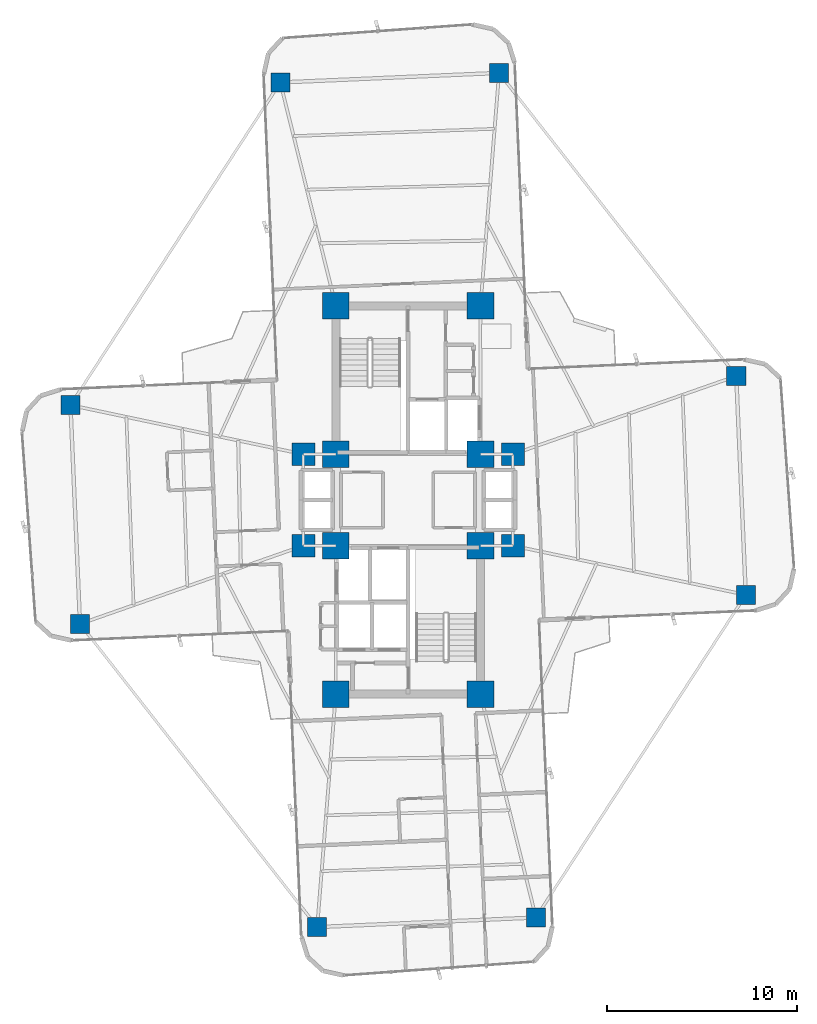
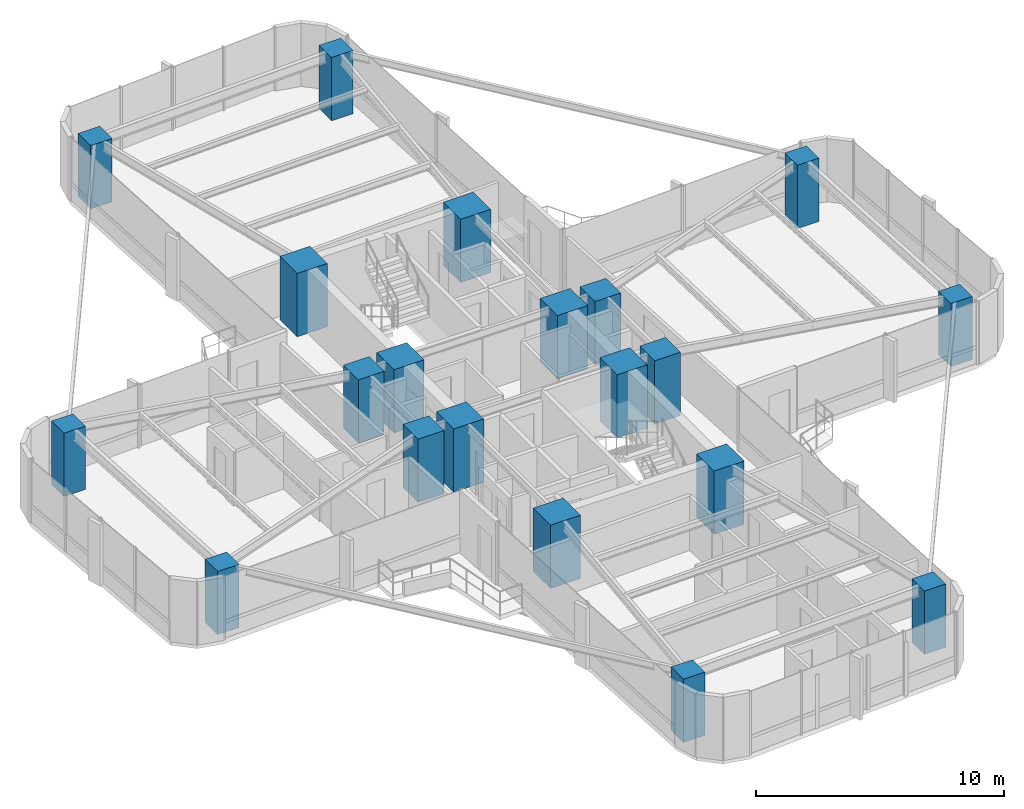
# One storey, part 1 of 26: 20 columns.
"""IFC4 building model written with IfcOpenShell, lengths in metres."""

from ifc_helpers import new_model, si_unit, direction, frame, origin, origin_2d, place, context, subcontext, project, spatial, rectangle, extrude, source, transform, mapped, material, material_profile, profile_set, type_object, element, save


model = new_model("IFC4")

# Units and contexts
model_context = context("Model", 3, precision=1e-05, world=origin(), true_north=direction((0.0, 1.0)))
body_context = subcontext(model_context, "Body", "Model", "MODEL_VIEW")
ifc_project = project(units=[si_unit("LENGTHUNIT", "METRE"), si_unit("AREAUNIT", "SQUARE_METRE"), si_unit("VOLUMEUNIT", "CUBIC_METRE"), si_unit("PLANEANGLEUNIT", "RADIAN"), si_unit("MASSUNIT", "GRAM", prefix="KILO")], contexts=[model_context])

# Site, building, storey
site_placement = place(None, origin())
site = spatial("IfcSite", under=ifc_project, at=site_placement, CompositionType="ELEMENT")
building_placement = place(site_placement, origin())
building = spatial("IfcBuilding", under=site, at=building_placement, Name="Sahyath Konkavel Grand Hotel", CompositionType="ELEMENT")
storey_placement = place(building_placement, frame((0.0, 0.0, 121.5)))
storey = spatial("IfcBuildingStorey", under=building, at=storey_placement, Name="L33", CompositionType="ELEMENT", Elevation=121.5)

# Columns
ifc_material_1 = material(Name="Concrete C70/85", Category="concrete")
ifc_material_profile_1 = material_profile(ifc_material_1, rectangle(XDim=1.39990234375, YDim=1.39990234375, at=origin_2d()), Name="RC 1400x1400")
ifc_profile_set_1 = profile_set([ifc_material_profile_1], Name="Concrete C70/85")
column_type_1 = type_object("IfcColumnType", Name="COL-RC1400", PredefinedType="COLUMN", material=ifc_profile_set_1)
shared_shape_1 = source(origin(), body_context, "Body", "SweptSolid", [
    extrude(rectangle(XDim=1.39990234375, YDim=1.39990234375, at=origin_2d()), origin(), (0.0, 0.0, 1.0), 3.110107421875),
])
for number, where, z_axis, x_axis, name in (
    (1, (-3.800048828125, 2.39990234375, 0.0), (0.0, 0.0, 1.0), (1.0, 0.0, 0.0), "L33 Core Boundary Column NC-SW"),
    (2, (3.800048828125, 2.39990234375, 0.0), (0.0, 0.0, 1.0), (1.0, 0.0, 0.0), "L33 Core Boundary Column NC-SE"),
    (3, (-3.800048828125, 10.199951171875, 0.0), (0.0, 0.0, 1.0), (1.0, 0.0, 0.0), "L33 Core Boundary Column NC-NW"),
    (4, (3.800048828125, 10.199951171875, 0.0), (0.0, 0.0, 1.0), (1.0, 0.0, 0.0), "L33 Core Boundary Column NC-NE"),
    (5, (-3.800048828125, -2.39990234375, 0.0), (0.0, 0.0, 1.0), (1.0, 0.0, 0.0), "L33 Core Boundary Column SC-NW"),
    (6, (3.800048828125, -2.39990234375, 0.0), (0.0, 0.0, 1.0), (1.0, 0.0, 0.0), "L33 Core Boundary Column SC-NE"),
    (7, (-3.800048828125, -10.199951171875, 0.0), (0.0, 0.0, 1.0), (1.0, 0.0, 0.0), "L33 Core Boundary Column SC-SW"),
    (8, (3.800048828125, -10.199951171875, 0.0), (0.0, 0.0, 1.0), (1.0, 0.0, 0.0), "L33 Core Boundary Column SC-SE"),
):
    element("IfcColumn", number, at=place(storey_placement, frame(where, z_axis=z_axis, x_axis=x_axis)), inside=storey, type_object=column_type_1, Name=name, PredefinedType="COLUMN", context=body_context, shape_type="MappedRepresentation", body=[
        mapped(shared_shape_1, transform((0.0, 0.0, 0.0), scale=1.0)),
    ])
ifc_material_2 = material(Name="Concrete C50/60", Category="concrete")
ifc_material_profile_2 = material_profile(ifc_material_2, rectangle(XDim=1.199951171875, YDim=1.199951171875, at=origin_2d()), Name="RC 1200x1200")
ifc_profile_set_2 = profile_set([ifc_material_profile_2], Name="Concrete C50/60")
column_type_2 = type_object("IfcColumnType", Name="COL-RC1200", PredefinedType="COLUMN", material=ifc_profile_set_2)
shared_shape_2 = source(origin(), body_context, "Body", "SweptSolid", [
    extrude(rectangle(XDim=1.199951171875, YDim=1.199951171875, at=origin_2d()), origin(), (0.0, 0.0, 1.0), 3.110107421875),
])
for number, where, z_axis, x_axis, name in (
    (9, (5.5, 2.39990234375, 0.0), (0.0, 0.0, 1.0), (1.0, 0.0, 0.0), "L33 Central Spine Column HB-NE"),
    (10, (-5.5, 2.39990234375, 0.0), (0.0, 0.0, 1.0), (1.0, 0.0, 0.0), "L33 Central Spine Column HB-NW"),
    (11, (5.5, -2.39990234375, 0.0), (0.0, 0.0, 1.0), (1.0, 0.0, 0.0), "L33 Central Spine Column HB-SE"),
    (12, (-5.5, -2.39990234375, 0.0), (0.0, 0.0, 1.0), (1.0, 0.0, 0.0), "L33 Central Spine Column HB-SW"),
):
    element("IfcColumn", number, at=place(storey_placement, frame(where, z_axis=z_axis, x_axis=x_axis)), inside=storey, type_object=column_type_2, Name=name, PredefinedType="COLUMN", context=body_context, shape_type="MappedRepresentation", body=[
        mapped(shared_shape_2, transform((0.0, 0.0, 0.0), scale=1.0)),
    ])
ifc_material_profile_3 = material_profile(ifc_material_2, rectangle(XDim=1.0, YDim=1.0, at=origin_2d()), Name="RC 1000x1000")
ifc_profile_set_3 = profile_set([ifc_material_profile_3], Name="Concrete C50/60")
column_type_3 = type_object("IfcColumnType", Name="COL-RC1000", PredefinedType="COLUMN", material=ifc_profile_set_3)
shared_shape_3 = source(origin(), body_context, "Body", "SweptSolid", [
    extrude(rectangle(XDim=1.0, YDim=1.0, at=origin_2d()), origin(), (0.0, 0.0, 1.0), 3.110107421875),
])
for number, where, z_axis, x_axis, name in (
    (13, (17.734130859375, -4.981201171875, 0.0), (0.0, 0.0, 1.0), (1.0, 0.0, 0.0), "L33 Cruciform Wing Column WC-EA"),
    (14, (17.232421875, 6.5078125, 0.0), (0.0, 0.0, 1.0), (1.0, 0.0, 0.0), "L33 Cruciform Wing Column WC-EB"),
    (15, (4.776123046875, 22.4296875, 0.0), (0.0, 0.0, 1.0), (1.0, 0.0, 0.0), "L33 Cruciform Wing Column WC-NA"),
    (16, (-6.712890625, 21.927978515625, 0.0), (0.0, 0.0, 1.0), (1.0, 0.0, 0.0), "L33 Cruciform Wing Column WC-NB"),
    (17, (-17.734130859375, 4.981201171875, 0.0), (0.0, 0.0, 1.0), (1.0, 0.0, 0.0), "L33 Cruciform Wing Column WC-WA"),
    (18, (-17.232421875, -6.5078125, 0.0), (0.0, 0.0, 1.0), (1.0, 0.0, 0.0), "L33 Cruciform Wing Column WC-WB"),
    (19, (-4.776123046875, -22.4296875, 0.0), (0.0, 0.0, 1.0), (1.0, 0.0, 0.0), "L33 Cruciform Wing Column WC-SA"),
    (20, (6.712890625, -21.927978515625, 0.0), (0.0, 0.0, 1.0), (1.0, 0.0, 0.0), "L33 Cruciform Wing Column WC-SB"),
):
    element("IfcColumn", number, at=place(storey_placement, frame(where, z_axis=z_axis, x_axis=x_axis)), inside=storey, type_object=column_type_3, Name=name, PredefinedType="COLUMN", context=body_context, shape_type="MappedRepresentation", body=[
        mapped(shared_shape_3, transform((0.0, 0.0, 0.0), scale=1.0)),
    ])

save(model, "model.ifc")
